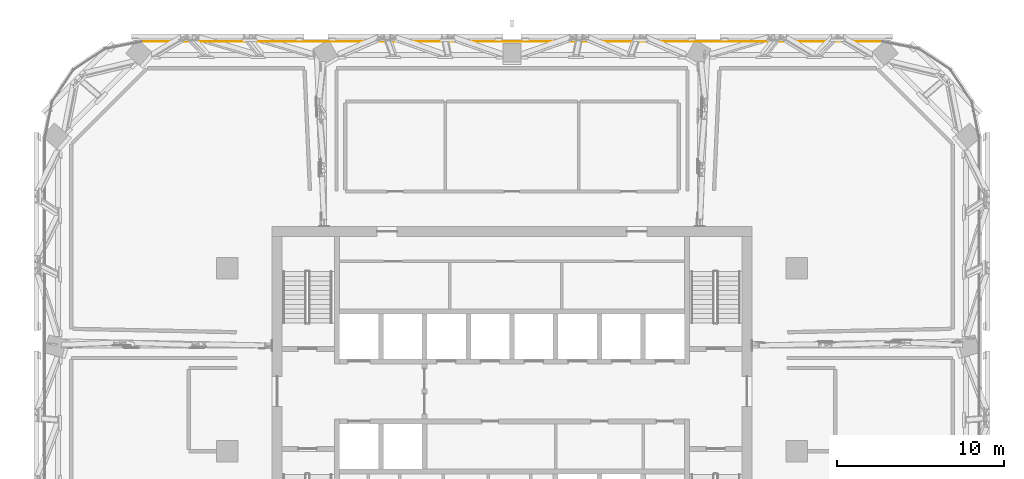
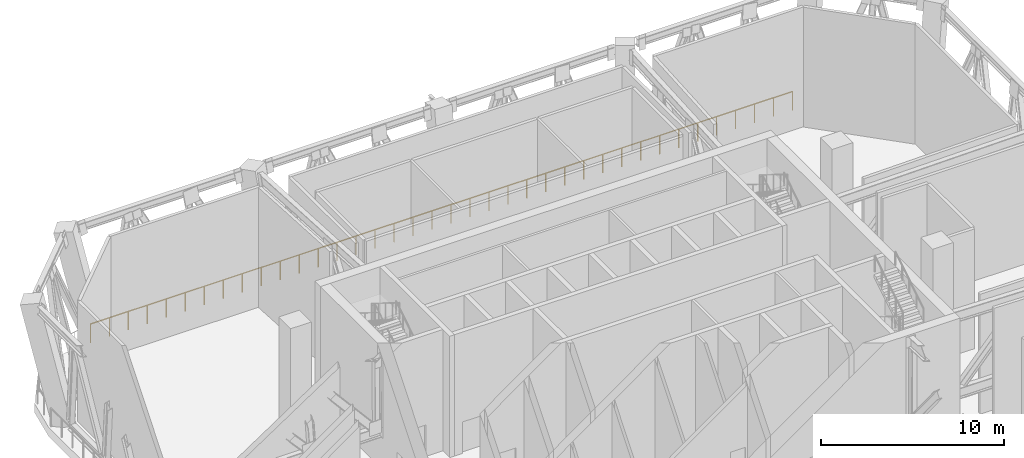
# One storey, part 23 of 24: 1 railing.
"""IFC4 building model written with IfcOpenShell, lengths in metres."""

import ifcopenshell
import ifcopenshell.guid

model = None  # the IFC model being written
_history = None  # IfcOwnerHistory: only IFC2X3 demands one
_inside = {}  # id of a spatial element -> (the spatial element, [elements in it])
_under = {}  # id of a project, library or spatial element -> (it, [spatial elements below it])
_declared = {}  # id of a project -> (the project, [libraries it declares])
_typed = {}  # id of a type object -> (the type object, [elements of that type])
_made_of = {}  # id of a material, layer set ... -> (it, [elements and type objects made of it])


def new_model(schema):
    """Start an empty IFC model of exactly this schema.

    Asked for "IFC4X3", IfcOpenShell would pick the latest addendum, in which some entities
    have other attributes; the version numbers below select the first issue.
    IFC2X3 requires an IfcOwnerHistory on every rooted entity: one is made here for all.
    """
    global model, _history
    if schema == "IFC4X3":
        model = ifcopenshell.file(schema_version=(4, 3, 0, 0))
    else:
        model = ifcopenshell.file(schema=schema)
    _inside.clear()
    _under.clear()
    _declared.clear()
    _typed.clear()
    _made_of.clear()
    _history = None
    if model.schema == "IFC2X3":
        org = make("IfcOrganization", Name="unknown")
        user = make(
            "IfcPersonAndOrganization",
            ThePerson=make("IfcPerson", FamilyName="unknown"),
            TheOrganization=org,
        )
        app = make(
            "IfcApplication",
            ApplicationDeveloper=org,
            Version="unknown",
            ApplicationFullName="unknown",
            ApplicationIdentifier="unknown",
        )
        _history = make(
            "IfcOwnerHistory",
            OwningUser=user,
            OwningApplication=app,
            ChangeAction="ADDED",
            CreationDate=0,
        )
    return model


def make(cls, **values):
    """One entity of the class cls with the attributes given. An attribute that is None is left unset."""
    return model.create_entity(
        cls, **{name: value for name, value in values.items() if value is not None}
    )


def rooted(cls, **values):
    """An entity with a GlobalId (a new one), such as an element, a storey or a relation."""
    return make(cls, GlobalId=ifcopenshell.guid.new(), OwnerHistory=_history, **values)


def si_unit(unit_type, name, prefix=None):
    """IfcSIUnit, for example si_unit("LENGTHUNIT", "METRE", prefix="MILLI")."""
    return make("IfcSIUnit", UnitType=unit_type, Prefix=prefix, Name=name)


def assignment(units):
    """IfcUnitAssignment: the units of a project."""
    return None if units is None else make("IfcUnitAssignment", Units=units)


def point(xyz):
    """IfcCartesianPoint."""
    return None if xyz is None else make("IfcCartesianPoint", Coordinates=xyz)


def direction(xyz):
    """IfcDirection."""
    return None if xyz is None else make("IfcDirection", DirectionRatios=xyz)


def frame(location, z_axis=None, x_axis=None):
    """IfcAxis2Placement3D, a coordinate frame: its origin and axes. An axis left out is left unset."""
    return make(
        "IfcAxis2Placement3D",
        Location=point(location),
        Axis=direction(z_axis),
        RefDirection=direction(x_axis),
    )


def frame_2d(location, x_axis=None):
    """IfcAxis2Placement2D, a coordinate frame in the plane: its origin and x axis."""
    return make(
        "IfcAxis2Placement2D", Location=point(location), RefDirection=direction(x_axis)
    )


def origin():
    """The frame at (0, 0, 0) with its axes left unset."""
    return frame((0.0, 0.0, 0.0))


def origin_2d():
    """The frame at (0, 0) in the plane with its x axis left unset."""
    return frame_2d((0.0, 0.0))


def place(relative_to, where):
    """IfcLocalPlacement: puts the frame where relative to a parent placement (None: the world)."""
    return make(
        "IfcLocalPlacement", PlacementRelTo=relative_to, RelativePlacement=where
    )


def context(
    kind, dimensions, precision=None, world=None, true_north=None, identifier=None
):
    """IfcGeometricRepresentationContext, for example the 3D "Model" context."""
    return make(
        "IfcGeometricRepresentationContext",
        ContextIdentifier=identifier,
        ContextType=kind,
        CoordinateSpaceDimension=dimensions,
        Precision=precision,
        WorldCoordinateSystem=world,
        TrueNorth=true_north,
    )


def subcontext(parent, identifier, kind, view, scale=None):
    """IfcGeometricRepresentationSubContext, for example "Body" below "Model"."""
    return make(
        "IfcGeometricRepresentationSubContext",
        ContextIdentifier=identifier,
        ContextType=kind,
        ParentContext=parent,
        TargetScale=scale,
        TargetView=view,
    )


def project(units=None, contexts=None):
    """IfcProject with its units and contexts."""
    return rooted(
        "IfcProject",
        Name="project",
        RepresentationContexts=contexts,
        UnitsInContext=assignment(units),
    )


def spatial(cls, under=None, at=None, **own):
    """A site, building, storey or space (cls), placed at a placement, below another one or the project."""
    s = rooted(cls, ObjectPlacement=at, **own)
    if under is not None:
        _under.setdefault(under.id(), (under, []))[1].append(s)
    return s


def profile(cls, at=None, kind="AREA", **sizes):
    """A parametric profile (cls). Its sizes go by their IFC names, for example OverallWidth=200.0."""
    return make(cls, ProfileType=kind, Position=at, **sizes)


def circle(**sizes):
    """IfcCircleProfileDef."""
    return profile("IfcCircleProfileDef", **sizes)


def extrude(swept, where, along, depth):
    """IfcExtrudedAreaSolid: the profile swept, set in the frame where, extruded along a direction by depth."""
    return make(
        "IfcExtrudedAreaSolid",
        SweptArea=swept,
        Position=where,
        ExtrudedDirection=direction(along),
        Depth=depth,
    )


def shape(context_of_items, identifier, shape_type, items):
    """IfcShapeRepresentation: the items that make up one representation, for example the "Body"."""
    return make(
        "IfcShapeRepresentation",
        ContextOfItems=context_of_items,
        RepresentationIdentifier=identifier,
        RepresentationType=shape_type,
        Items=items,
    )


def material(Name=None, Category=None):
    """IfcMaterial."""
    return make("IfcMaterial", Name=Name, Category=Category)


def made_of(thing, what):
    """Note that an element or type object is made of a material, layer set ...; save() writes the relation."""
    if what is not None:
        _made_of.setdefault(what.id(), (what, []))[1].append(thing)
    return thing


def type_object(cls, material=None, **own):
    """A type object (cls), such as IfcWallType, which elements share."""
    return made_of(rooted(cls, **own), material)


def element(
    cls,
    number,
    at=None,
    inside=None,
    cuts=None,
    type_object=None,
    material=None,
    context=None,
    identifier="Body",
    shape_type=None,
    held_by="IfcProductDefinitionShape",
    body=None,
    shapes=None,
    **own,
):
    """One element of the class cls, such as IfcWall. Its Tag is "e" and its number.

    at: its placement. inside: the storey or other place that contains it. cuts: it is an
    opening in that element (IfcRelVoidsElement). A single representation is given by context,
    identifier, shape_type and body (its items); several are given by shapes. held_by: the class
    of the entity that holds the representations. save() writes the other relations.
    """
    e = rooted(cls, Tag="e%d" % number, ObjectPlacement=at, **own)
    if body is not None:
        shapes = [shape(context, identifier, shape_type, body)]
    if shapes is not None:
        e.Representation = make(held_by, Representations=shapes)
    if inside is not None:
        _inside.setdefault(inside.id(), (inside, []))[1].append(e)
    if cuts is not None:
        rooted(
            "IfcRelVoidsElement", RelatingBuildingElement=cuts, RelatedOpeningElement=e
        )
    if type_object is not None:
        _typed.setdefault(type_object.id(), (type_object, []))[1].append(e)
    return made_of(e, material)


def aggregate(whole, parts):
    """IfcRelAggregates: a whole, such as a stair, and the parts it consists of."""
    return rooted("IfcRelAggregates", RelatingObject=whole, RelatedObjects=parts)


def save(model, path):
    """Write the relations noted so far, then the file.

    IfcRelAggregates (storeys below a building ...), IfcRelContainedInSpatialStructure (elements
    in a storey), IfcRelDefinesByType, IfcRelAssociatesMaterial and IfcRelDeclares: one each for
    every whole, place, type object, material and project.
    """
    for whole, parts in _under.values():
        aggregate(whole, parts)
    for where, things in _inside.values():
        rooted(
            "IfcRelContainedInSpatialStructure",
            RelatedElements=things,
            RelatingStructure=where,
        )
    for kind, things in _typed.values():
        rooted("IfcRelDefinesByType", RelatedObjects=things, RelatingType=kind)
    for what, things in _made_of.values():
        rooted("IfcRelAssociatesMaterial", RelatedObjects=things, RelatingMaterial=what)
    for by, libraries in _declared.values():
        rooted("IfcRelDeclares", RelatingContext=by, RelatedDefinitions=libraries)
    model.write(path)


model = new_model("IFC4")

# Units and contexts
model_context = context("Model", 3, precision=1e-05, world=origin(), true_north=direction((0.0, 1.0)))
body_context = subcontext(model_context, "Body", "Model", "MODEL_VIEW")
ifc_project = project(units=[si_unit("LENGTHUNIT", "METRE"), si_unit("AREAUNIT", "SQUARE_METRE"), si_unit("VOLUMEUNIT", "CUBIC_METRE"), si_unit("PLANEANGLEUNIT", "RADIAN"), si_unit("MASSUNIT", "GRAM", prefix="KILO")], contexts=[model_context])

# Site, building, storey
site_placement = place(None, origin())
site = spatial("IfcSite", under=ifc_project, at=site_placement, CompositionType="ELEMENT")
building_placement = place(site_placement, origin())
building = spatial("IfcBuilding", under=site, at=building_placement, Name="Mopane Tessera Tower", CompositionType="ELEMENT")
storey_placement = place(building_placement, frame((0.0, 0.0, 259.0)))
storey = spatial("IfcBuildingStorey", under=building, at=storey_placement, Name="L56", CompositionType="ELEMENT", Elevation=259.0)

# Railing
ifc_material = material(Name="Stainless steel S316", Category="steel")
railing_type = type_object("IfcRailingType", Name="Wind floor guard 1250", PredefinedType="GUARDRAIL", material=ifc_material)
railing_placement = place(storey_placement, frame((22.169921875, 24.60009765625, 0.0)))
element("IfcRailing", 1, at=railing_placement, inside=storey, type_object=railing_type, Name="e:og:L56:10", PredefinedType="GUARDRAIL", context=body_context, shape_type="SweptSolid", body=[
    extrude(circle(Radius=0.02392578125, at=origin_2d()), frame((0.0, 0.0, 1.22607421875), z_axis=(-1.0, 0.0, 0.0), x_axis=(0.0, -1.0, 0.0)), (0.0, 0.0, 1.0), 44.33984375),
    extrude(circle(Radius=0.02099609375, at=origin_2d()), origin(), (0.0, 0.0, 1.0), 1.201904296875),
    extrude(circle(Radius=0.02099609375, at=origin_2d()), frame((-1.198486328125, 0.0, 0.0)), (0.0, 0.0, 1.0), 1.201904296875),
    extrude(circle(Radius=0.02099609375, at=origin_2d()), frame((-2.396728515625, 0.0, 0.0)), (0.0, 0.0, 1.0), 1.201904296875),
    extrude(circle(Radius=0.02099609375, at=origin_2d()), frame((-3.59521484375, 0.0, 0.0)), (0.0, 0.0, 1.0), 1.201904296875),
    extrude(circle(Radius=0.02099609375, at=origin_2d()), frame((-4.79345703125, 0.0, 0.0)), (0.0, 0.0, 1.0), 1.201904296875),
    extrude(circle(Radius=0.02099609375, at=origin_2d()), frame((-5.991943359375, 0.0, 0.0)), (0.0, 0.0, 1.0), 1.201904296875),
    extrude(circle(Radius=0.02099609375, at=origin_2d()), frame((-7.190185546875, 0.0, 0.0)), (0.0, 0.0, 1.0), 1.201904296875),
    extrude(circle(Radius=0.02099609375, at=origin_2d()), frame((-8.388671875, 0.0, 0.0)), (0.0, 0.0, 1.0), 1.201904296875),
    extrude(circle(Radius=0.02099609375, at=origin_2d()), frame((-9.5869140625, 0.0, 0.0)), (0.0, 0.0, 1.0), 1.201904296875),
    extrude(circle(Radius=0.02099609375, at=origin_2d()), frame((-10.785400390625, 0.0, 0.0)), (0.0, 0.0, 1.0), 1.201904296875),
    extrude(circle(Radius=0.02099609375, at=origin_2d()), frame((-11.983642578125, 0.0, 0.0)), (0.0, 0.0, 1.0), 1.201904296875),
    extrude(circle(Radius=0.02099609375, at=origin_2d()), frame((-13.18212890625, 0.0, 0.0)), (0.0, 0.0, 1.0), 1.201904296875),
    extrude(circle(Radius=0.02099609375, at=origin_2d()), frame((-14.38037109375, 0.0, 0.0)), (0.0, 0.0, 1.0), 1.201904296875),
    extrude(circle(Radius=0.02099609375, at=origin_2d()), frame((-15.578857421875, 0.0, 0.0)), (0.0, 0.0, 1.0), 1.201904296875),
    extrude(circle(Radius=0.02099609375, at=origin_2d()), frame((-16.77734375, 0.0, 0.0)), (0.0, 0.0, 1.0), 1.201904296875),
    extrude(circle(Radius=0.02099609375, at=origin_2d()), frame((-17.9755859375, 0.0, 0.0)), (0.0, 0.0, 1.0), 1.201904296875),
    extrude(circle(Radius=0.02099609375, at=origin_2d()), frame((-19.174072265625, 0.0, 0.0)), (0.0, 0.0, 1.0), 1.201904296875),
    extrude(circle(Radius=0.02099609375, at=origin_2d()), frame((-20.372314453125, 0.0, 0.0)), (0.0, 0.0, 1.0), 1.201904296875),
    extrude(circle(Radius=0.02099609375, at=origin_2d()), frame((-21.57080078125, 0.0, 0.0)), (0.0, 0.0, 1.0), 1.201904296875),
    extrude(circle(Radius=0.02099609375, at=origin_2d()), frame((-22.76904296875, 0.0, 0.0)), (0.0, 0.0, 1.0), 1.201904296875),
    extrude(circle(Radius=0.02099609375, at=origin_2d()), frame((-23.967529296875, 0.0, 0.0)), (0.0, 0.0, 1.0), 1.201904296875),
    extrude(circle(Radius=0.02099609375, at=origin_2d()), frame((-25.165771484375, 0.0, 0.0)), (0.0, 0.0, 1.0), 1.201904296875),
    extrude(circle(Radius=0.02099609375, at=origin_2d()), frame((-26.3642578125, 0.0, 0.0)), (0.0, 0.0, 1.0), 1.201904296875),
    extrude(circle(Radius=0.02099609375, at=origin_2d()), frame((-27.5625, 0.0, 0.0)), (0.0, 0.0, 1.0), 1.201904296875),
    extrude(circle(Radius=0.02099609375, at=origin_2d()), frame((-28.760986328125, 0.0, 0.0)), (0.0, 0.0, 1.0), 1.201904296875),
    extrude(circle(Radius=0.02099609375, at=origin_2d()), frame((-29.95947265625, 0.0, 0.0)), (0.0, 0.0, 1.0), 1.201904296875),
    extrude(circle(Radius=0.02099609375, at=origin_2d()), frame((-31.15771484375, 0.0, 0.0)), (0.0, 0.0, 1.0), 1.201904296875),
    extrude(circle(Radius=0.02099609375, at=origin_2d()), frame((-32.356201171875, 0.0, 0.0)), (0.0, 0.0, 1.0), 1.201904296875),
    extrude(circle(Radius=0.02099609375, at=origin_2d()), frame((-33.554443359375, 0.0, 0.0)), (0.0, 0.0, 1.0), 1.201904296875),
    extrude(circle(Radius=0.02099609375, at=origin_2d()), frame((-34.7529296875, 0.0, 0.0)), (0.0, 0.0, 1.0), 1.201904296875),
    extrude(circle(Radius=0.02099609375, at=origin_2d()), frame((-35.951171875, 0.0, 0.0)), (0.0, 0.0, 1.0), 1.201904296875),
    extrude(circle(Radius=0.02099609375, at=origin_2d()), frame((-37.149658203125, 0.0, 0.0)), (0.0, 0.0, 1.0), 1.201904296875),
    extrude(circle(Radius=0.02099609375, at=origin_2d()), frame((-38.347900390625, 0.0, 0.0)), (0.0, 0.0, 1.0), 1.201904296875),
    extrude(circle(Radius=0.02099609375, at=origin_2d()), frame((-39.54638671875, 0.0, 0.0)), (0.0, 0.0, 1.0), 1.201904296875),
    extrude(circle(Radius=0.02099609375, at=origin_2d()), frame((-40.74462890625, 0.0, 0.0)), (0.0, 0.0, 1.0), 1.201904296875),
    extrude(circle(Radius=0.02099609375, at=origin_2d()), frame((-41.943115234375, 0.0, 0.0)), (0.0, 0.0, 1.0), 1.201904296875),
    extrude(circle(Radius=0.02099609375, at=origin_2d()), frame((-43.141357421875, 0.0, 0.0)), (0.0, 0.0, 1.0), 1.201904296875),
    extrude(circle(Radius=0.02099609375, at=origin_2d()), frame((-44.33984375, 0.0, 0.0)), (0.0, 0.0, 1.0), 1.201904296875),
])

save(model, "model.ifc")
